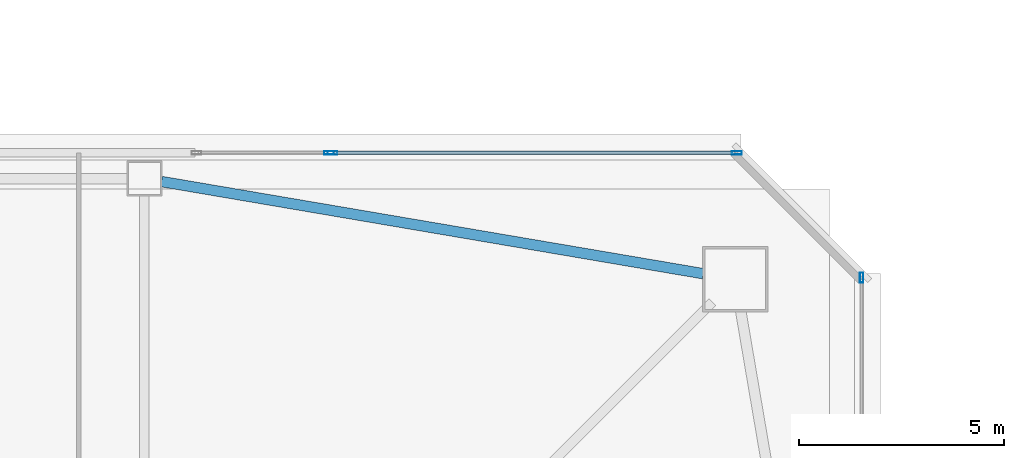
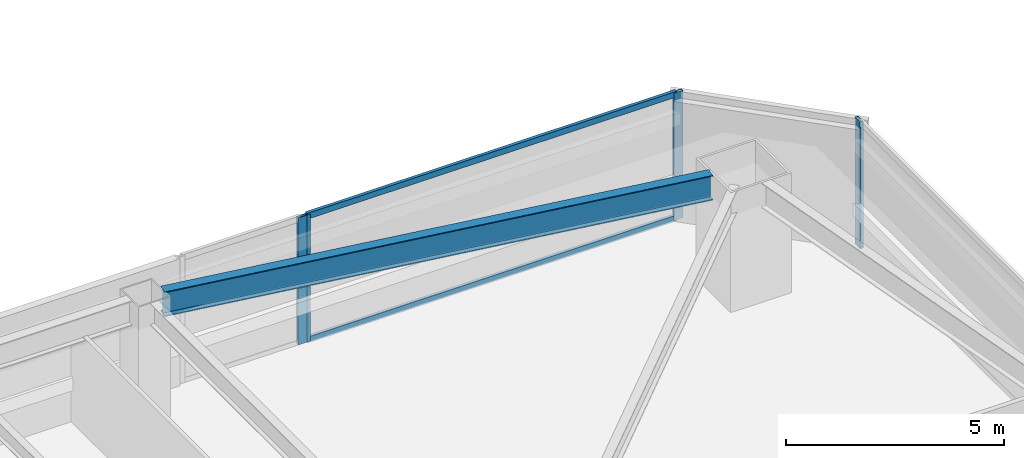
# One storey, part 17 of 46: 6 members, 1 beam, 3 elements without a shape of their own.
"""IFC4 building model written with IfcOpenShell, lengths in metres."""

from ifc_helpers import new_model, si_unit, direction, frame, origin, origin_2d, place, context, subcontext, project, spatial, hollow_rectangle, i_section, extrude, material, material_profile, profile_set, type_object, element, aggregate, save


model = new_model("IFC4")

# Units and contexts
model_context = context("Model", 3, precision=1e-05, world=origin(), true_north=direction((0.0, 1.0)))
body_context = subcontext(model_context, "Body", "Model", "MODEL_VIEW")
ifc_project = project(units=[si_unit("LENGTHUNIT", "METRE"), si_unit("AREAUNIT", "SQUARE_METRE"), si_unit("VOLUMEUNIT", "CUBIC_METRE"), si_unit("PLANEANGLEUNIT", "RADIAN"), si_unit("MASSUNIT", "GRAM", prefix="KILO")], contexts=[model_context])

# Site, building, storey
site_placement = place(None, origin())
site = spatial("IfcSite", under=ifc_project, at=site_placement, CompositionType="ELEMENT")
building_placement = place(site_placement, origin())
building = spatial("IfcBuilding", under=site, at=building_placement, Name="Tashvorn Skyway Center", CompositionType="ELEMENT")
storey_placement = place(building_placement, frame((0.0, 0.0, 31.699951171875)))
storey = spatial("IfcBuildingStorey", under=building, at=storey_placement, Name="L07", CompositionType="ELEMENT", Elevation=31.699951171875)

# Beam
ifc_material_1 = material(Name="Steel ASTM A992 Grade 50", Category="steel")
ifc_material_profile_1 = material_profile(ifc_material_1, i_section(OverallWidth=0.256103515625, OverallDepth=0.693115234375, WebThickness=0.014404296875, FlangeThickness=0.023681640625, at=origin_2d()), Name="W27X114")
ifc_profile_set_1 = profile_set([ifc_material_profile_1], Name="Steel ASTM A992 Grade 50")
beam_type = type_object("IfcBeamType", Name="BM-SPANDREL-W27X114", PredefinedType="SPANDREL", material=ifc_profile_set_1)
beam_placement = place(storey_placement, frame((61.016357421875, 51.933349609375, 3.003662109375), z_axis=(-0.985835025551, 0.16771792509, 0.0), x_axis=(-0.16771792509, -0.985835025551, 0.0)))
element("IfcBeam", 1, at=beam_placement, inside=storey, type_object=beam_type, Name="Tower 1 L07 Spandrel Beam 07", PredefinedType="SPANDREL", context=body_context, shape_type="SweptSolid", body=[
    extrude(i_section(OverallWidth=0.256103515625, OverallDepth=0.693115234375, WebThickness=0.014404296875, FlangeThickness=0.023681640625, at=origin_2d()), origin(), (0.0, 0.0, 1.0), 13.39208984375),
])

# Curtain wall, member
ifc_material_2 = material(Name="Thermally broken bronze-anodized aluminium 6063-T6", Category="aluminium")
curtain_wall_type = type_object("IfcCurtainWallType", Name="CW-CW-Z1", PredefinedType="NOTDEFINED", material=ifc_material_2)
curtain_wall_1_placement = place(storey_placement, origin())
curtain_wall_1 = element("IfcCurtainWall", 2, at=curtain_wall_1_placement, inside=storey, type_object=curtain_wall_type, Name="Tower 1 L07 North Unitised Curtain Wall Glazing Group 3", PredefinedType="NOTDEFINED")
ifc_material_profile_2 = material_profile(ifc_material_2, hollow_rectangle(XDim=0.0849609375, YDim=0.239990234375, WallThickness=0.0048828125, at=origin_2d()), Name="ALU-MULL-85x240")
ifc_profile_set_2 = profile_set([ifc_material_profile_2], Name="Thermally broken bronze-anodized aluminium 6063-T6")
member_type_1 = type_object("IfcMemberType", Name="CWM-CW-Z1", PredefinedType="MULLION", material=ifc_profile_set_2)
member_1_placement = place(storey_placement, frame((51.8974609375, 54.8798828125, 0.0), z_axis=(0.0, 0.0, 1.0), x_axis=(0.0, 1.0, 0.0)))
member_1 = element("IfcMember", 3, at=member_1_placement, type_object=member_type_1, Name="CW-Z1 mullion 2", PredefinedType="MULLION", context=body_context, shape_type="SweptSolid", body=[
    extrude(hollow_rectangle(XDim=0.0849609375, YDim=0.239990234375, WallThickness=0.0048828125, at=origin_2d()), origin(), (0.0, 0.0, 1.0), 3.550048828125),
])
aggregate(curtain_wall_1, [member_1])

# Curtain wall, members
curtain_wall_2_placement = place(storey_placement, origin())
curtain_wall_2 = element("IfcCurtainWall", 4, at=curtain_wall_2_placement, inside=storey, type_object=curtain_wall_type, Name="Tower 1 L07 North Unitised Curtain Wall Glazing Group 4", PredefinedType="NOTDEFINED")
member_2_placement = place(storey_placement, frame((51.982421875, 54.8798828125, 0.0), z_axis=(0.0, 0.0, 1.0), x_axis=(0.0, 1.0, 0.0)))
member_2 = element("IfcMember", 5, at=member_2_placement, type_object=member_type_1, Name="CW-Z1 mullion 1", PredefinedType="MULLION", context=body_context, shape_type="SweptSolid", body=[
    extrude(hollow_rectangle(XDim=0.0849609375, YDim=0.239990234375, WallThickness=0.0048828125, at=origin_2d()), origin(), (0.0, 0.0, 1.0), 3.550048828125),
])
member_3_placement = place(storey_placement, frame((61.83740234375, 54.8798828125, 0.0), z_axis=(0.0, 0.0, 1.0), x_axis=(0.0, 1.0, 0.0)))
member_3 = element("IfcMember", 6, at=member_3_placement, type_object=member_type_1, Name="CW-Z1 mullion 2", PredefinedType="MULLION", context=body_context, shape_type="SweptSolid", body=[
    extrude(hollow_rectangle(XDim=0.0849609375, YDim=0.239990234375, WallThickness=0.0048828125, at=origin_2d()), origin(), (0.0, 0.0, 1.0), 3.550048828125),
])

# Curtain wall, member
curtain_wall_3_placement = place(storey_placement, origin())
curtain_wall_3 = element("IfcCurtainWall", 7, at=curtain_wall_3_placement, inside=storey, type_object=curtain_wall_type, Name="Tower 1 L07 East Unitised Curtain Wall Glazing Group 1", PredefinedType="NOTDEFINED")
member_4_placement = place(storey_placement, frame((64.8798828125, 51.83740234375, 0.0), z_axis=(0.0, 0.0, 1.0), x_axis=(1.0, 0.0, 0.0)))
member_4 = element("IfcMember", 8, at=member_4_placement, type_object=member_type_1, Name="CW-Z1 mullion 1", PredefinedType="MULLION", context=body_context, shape_type="SweptSolid", body=[
    extrude(hollow_rectangle(XDim=0.0849609375, YDim=0.239990234375, WallThickness=0.0048828125, at=origin_2d()), origin(), (0.0, 0.0, 1.0), 3.550048828125),
])
aggregate(curtain_wall_3, [member_4])

# Member
ifc_material_profile_3 = material_profile(ifc_material_2, hollow_rectangle(XDim=0.0849609375, YDim=0.1650390625, WallThickness=0.0048828125, at=origin_2d()), Name="ALU-TRAN-85x165")
ifc_profile_set_3 = profile_set([ifc_material_profile_3], Name="Thermally broken bronze-anodized aluminium 6063-T6")
member_type_2 = type_object("IfcMemberType", Name="CWT-CW-Z1", PredefinedType="USERDEFINED", material=ifc_profile_set_3)
member_5_placement = place(storey_placement, frame((52.02490234375, 54.8798828125, 0.04248046875), z_axis=(1.0, 0.0, 0.0), x_axis=(0.0, 1.0, 0.0)))
member_5 = element("IfcMember", 9, at=member_5_placement, type_object=member_type_2, Name="CW-Z1 transom 1.1", ObjectType="TRANSOM", PredefinedType="USERDEFINED", context=body_context, shape_type="SweptSolid", body=[
    extrude(hollow_rectangle(XDim=0.0849609375, YDim=0.1650390625, WallThickness=0.0048828125, at=origin_2d()), origin(), (0.0, 0.0, 1.0), 9.77001953125),
])

member_6_placement = place(storey_placement, frame((52.02490234375, 54.8798828125, 3.507568359375), z_axis=(1.0, 0.0, 0.0), x_axis=(0.0, 1.0, 0.0)))
member_6 = element("IfcMember", 10, at=member_6_placement, type_object=member_type_2, Name="CW-Z1 transom 1.2", ObjectType="TRANSOM", PredefinedType="USERDEFINED", context=body_context, shape_type="SweptSolid", body=[
    extrude(hollow_rectangle(XDim=0.0849609375, YDim=0.1650390625, WallThickness=0.0048828125, at=origin_2d()), origin(), (0.0, 0.0, 1.0), 9.77001953125),
])

aggregate(curtain_wall_2, [member_2, member_3, member_5, member_6])

save(model, "model.ifc")
